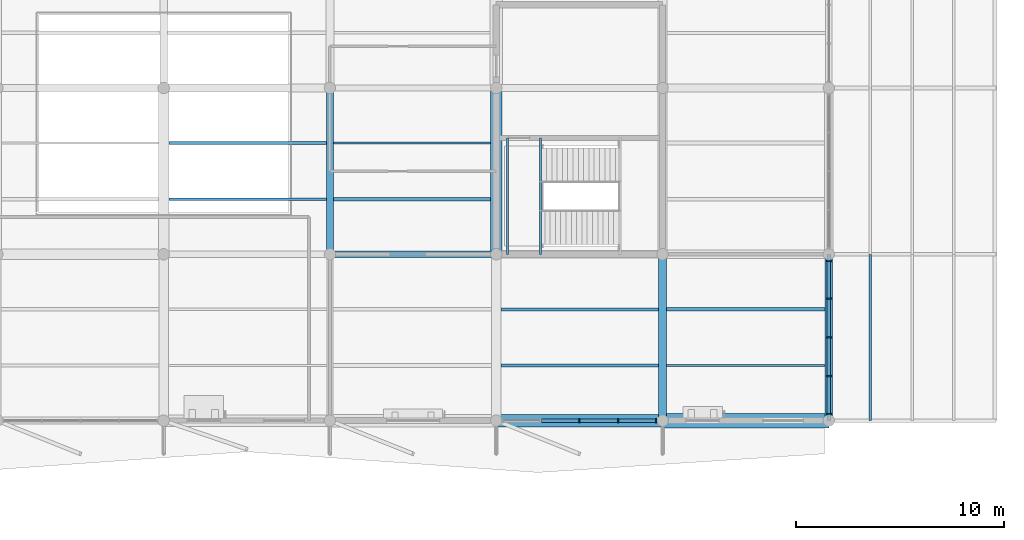
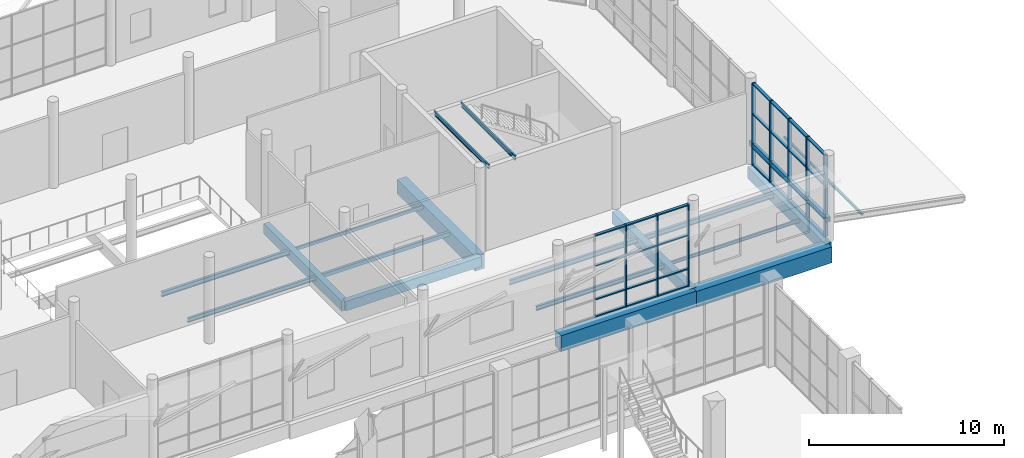
# One storey, part 60 of 122: 37 members, 18 beams, 2 elements without a shape of their own.
"""IFC4 building model written with IfcOpenShell, lengths in metres."""

from ifc_helpers import new_model, si_unit, direction, frame, origin, origin_2d, place, context, subcontext, project, spatial, rectangle, hollow_rectangle, i_section, extrude, material, material_profile, profile_set, type_object, element, aggregate, save


model = new_model("IFC4")

# Units and contexts
model_context = context("Model", 3, precision=1e-05, world=origin(), true_north=direction((0.0, 1.0)))
body_context = subcontext(model_context, "Body", "Model", "MODEL_VIEW")
ifc_project = project(units=[si_unit("LENGTHUNIT", "METRE"), si_unit("AREAUNIT", "SQUARE_METRE"), si_unit("VOLUMEUNIT", "CUBIC_METRE"), si_unit("PLANEANGLEUNIT", "RADIAN"), si_unit("MASSUNIT", "GRAM", prefix="KILO")], contexts=[model_context])

# Site, building, storey
site_placement = place(None, origin())
site = spatial("IfcSite", under=ifc_project, at=site_placement, CompositionType="ELEMENT")
building_placement = place(site_placement, origin())
building = spatial("IfcBuilding", under=site, at=building_placement, Name="Tenunan Teduh Sports Hall", CompositionType="ELEMENT")
storey_placement = place(building_placement, frame((0.0, 0.0, 5.39990234375)))
storey = spatial("IfcBuildingStorey", under=building, at=storey_placement, Name="L01", CompositionType="ELEMENT", Elevation=5.39990234375)

# Beams
ifc_material_1 = material(Name="Concrete C40/50", Category="concrete")
ifc_material_profile_1 = material_profile(ifc_material_1, rectangle(XDim=0.300048828125, YDim=0.60009765625, at=origin_2d()), Name="RCB 300x600")
ifc_profile_set_1 = profile_set([ifc_material_profile_1], Name="Concrete C40/50")
beam_type_1 = type_object("IfcBeamType", Name="BM-RC-300x600", PredefinedType="BEAM", material=ifc_profile_set_1)
beam_1_placement = place(storey_placement, frame((138.0, 94.0, -0.559814453125), z_axis=(1.0, 0.0, 0.0), x_axis=(0.0, 1.0, 0.0)))
element("IfcBeam", 1, at=beam_1_placement, inside=storey, type_object=beam_type_1, Name="BM-B-03-L01-1135", PredefinedType="BEAM", context=body_context, shape_type="SweptSolid", body=[
    extrude(rectangle(XDim=0.300048828125, YDim=0.60009765625, at=origin_2d()), origin(), (0.0, 0.0, 1.0), 8.0),
])
ifc_material_2 = material(Name="Concrete C40/50", Category="concrete")
ifc_material_profile_2 = material_profile(ifc_material_2, rectangle(XDim=0.35009765625, YDim=0.64990234375, at=origin_2d()), Name="RCB 350x650")
ifc_profile_set_2 = profile_set([ifc_material_profile_2], Name="Concrete C40/50")
beam_type_2 = type_object("IfcBeamType", Name="BM-RC-350x650", PredefinedType="BEAM", material=ifc_profile_set_2)
beam_2_placement = place(storey_placement, frame((138.0, 94.0, -0.5849609375), z_axis=(0.0, 1.0, 0.0), x_axis=(-1.0, 0.0, 0.0)))
element("IfcBeam", 2, at=beam_2_placement, inside=storey, type_object=beam_type_2, Name="BM-B-05-L01-1282", PredefinedType="BEAM", context=body_context, shape_type="SweptSolid", body=[
    extrude(rectangle(XDim=0.35009765625, YDim=0.64990234375, at=origin_2d()), origin(), (0.0, 0.0, 1.0), 8.0),
])
ifc_material_3 = material(Name="Concrete C40/50", Category="concrete")
ifc_material_profile_3 = material_profile(ifc_material_3, rectangle(XDim=0.39990234375, YDim=0.699951171875, at=origin_2d()), Name="RCB 400x700")
ifc_profile_set_3 = profile_set([ifc_material_profile_3], Name="Concrete C40/50")
beam_type_3 = type_object("IfcBeamType", Name="BM-RC-400x700", PredefinedType="BEAM", material=ifc_profile_set_3)
beam_3_placement = place(storey_placement, frame((154.0, 86.0, -0.60986328125), z_axis=(0.0, 1.0, 0.0), x_axis=(-1.0, 0.0, 0.0)))
element("IfcBeam", 3, at=beam_3_placement, inside=storey, type_object=beam_type_3, Name="BM-B-08-L01-1297", PredefinedType="BEAM", context=body_context, shape_type="SweptSolid", body=[
    extrude(rectangle(XDim=0.39990234375, YDim=0.699951171875, at=origin_2d()), origin(), (0.0, 0.0, 1.0), 8.0),
])
ifc_material_4 = material(Name="Concrete C40/50", Category="concrete")
ifc_material_profile_4 = material_profile(ifc_material_4, rectangle(XDim=0.550048828125, YDim=0.89990234375, at=origin_2d()), Name="RCB 550x900")
ifc_profile_set_4 = profile_set([ifc_material_profile_4], Name="Concrete C40/50")
beam_type_4 = type_object("IfcBeamType", Name="BM-RC-550x900", PredefinedType="BEAM", material=ifc_profile_set_4)
beam_4_placement = place(storey_placement, frame((146.0, 94.0, -0.7099609375), z_axis=(0.0, 1.0, 0.0), x_axis=(-1.0, 0.0, 0.0)))
element("IfcBeam", 4, at=beam_4_placement, inside=storey, type_object=beam_type_4, Name="BM-B-16-L01-1290", PredefinedType="BEAM", context=body_context, shape_type="SweptSolid", body=[
    extrude(rectangle(XDim=0.550048828125, YDim=0.89990234375, at=origin_2d()), origin(), (0.0, 0.0, 1.0), 8.0),
])
ifc_material_5 = material(Name="Concrete C40/50", Category="concrete")
ifc_material_profile_5 = material_profile(ifc_material_5, rectangle(XDim=0.60009765625, YDim=1.0, at=origin_2d()), Name="RCB 600x1000")
ifc_profile_set_5 = profile_set([ifc_material_profile_5], Name="Concrete C40/50")
beam_type_5 = type_object("IfcBeamType", Name="BM-RC-600x1000", PredefinedType="BEAM", material=ifc_profile_set_5)
beam_5_placement = place(storey_placement, frame((146.0, 86.0, -0.760009765625), z_axis=(1.0, 0.0, 0.0), x_axis=(0.0, 1.0, 0.0)))
element("IfcBeam", 5, at=beam_5_placement, inside=storey, type_object=beam_type_5, Name="BM-B-18-L01-1119", PredefinedType="BEAM", context=body_context, shape_type="SweptSolid", body=[
    extrude(rectangle(XDim=0.60009765625, YDim=1.0, at=origin_2d()), origin(), (0.0, 0.0, 1.0), 8.0),
])
ifc_material_6 = material(Name="Concrete C40/50", Category="concrete")
ifc_material_profile_6 = material_profile(ifc_material_6, rectangle(XDim=0.699951171875, YDim=1.0, at=origin_2d()), Name="RCB 700x1000")
ifc_profile_set_6 = profile_set([ifc_material_profile_6], Name="Concrete C40/50")
beam_type_6 = type_object("IfcBeamType", Name="BM-RC-700x1000", PredefinedType="SPANDREL", material=ifc_profile_set_6)
beam_6_placement = place(storey_placement, frame((154.0, 86.0, -0.760009765625), z_axis=(1.0, 0.0, 0.0), x_axis=(0.0, 1.0, 0.0)))
element("IfcBeam", 6, at=beam_6_placement, inside=storey, type_object=beam_type_6, Name="BM-B-19-L01-1120", PredefinedType="SPANDREL", context=body_context, shape_type="SweptSolid", body=[
    extrude(rectangle(XDim=0.699951171875, YDim=1.0, at=origin_2d()), origin(), (0.0, 0.0, 1.0), 8.0),
])
ifc_material_7 = material(Name="Concrete C40/50", Category="concrete")
ifc_material_profile_7 = material_profile(ifc_material_7, rectangle(XDim=0.35009765625, YDim=0.719970703125, at=origin_2d()), Name="TB 350x720")
ifc_profile_set_7 = profile_set([ifc_material_profile_7], Name="Concrete C40/50")
beam_type_7 = type_object("IfcBeamType", Name="BM-TB-350x720", PredefinedType="T_BEAM", material=ifc_profile_set_7)
beam_7_placement = place(storey_placement, frame((162.0, 86.0, -0.619873046875), z_axis=(0.0, 1.0, 0.0), x_axis=(-1.0, 0.0, 0.0)))
element("IfcBeam", 7, at=beam_7_placement, inside=storey, type_object=beam_type_7, Name="BM-TB-01-L01-1301", PredefinedType="T_BEAM", context=body_context, shape_type="SweptSolid", body=[
    extrude(rectangle(XDim=0.35009765625, YDim=0.719970703125, at=origin_2d()), origin(), (0.0, 0.0, 1.0), 8.0),
])

# Curtain wall, members
ifc_material_8 = material(Name="Anodised aluminium", Category="aluminium")
curtain_wall_type = type_object("IfcCurtainWallType", Name="CW-UNIT-1", PredefinedType="NOTDEFINED", material=ifc_material_8)
curtain_wall_1_placement = place(storey_placement, origin())
curtain_wall_1 = element("IfcCurtainWall", 8, at=curtain_wall_1_placement, inside=storey, type_object=curtain_wall_type, Name="CW-CWM-200-L01-244", PredefinedType="NOTDEFINED")
ifc_material_9 = material(Name="Anodised aluminium", Category="aluminium")
ifc_material_profile_8 = material_profile(ifc_material_9, rectangle(XDim=0.070068359375, YDim=0.199951171875, at=origin_2d()), Name="CWM 70x200")
ifc_profile_set_8 = profile_set([ifc_material_profile_8], Name="Anodised aluminium")
member_type_1 = type_object("IfcMemberType", Name="CWM-200", PredefinedType="MULLION", material=ifc_profile_set_8)
member_1_placement = place(storey_placement, frame((150.0, 86.0, 0.0), z_axis=(0.0, 0.0, 1.0), x_axis=(1.0, 0.0, 0.0)))
member_1 = element("IfcMember", 9, at=member_1_placement, type_object=member_type_1, Name="CW-01 mullion 3", PredefinedType="MULLION", context=body_context, shape_type="SweptSolid", body=[
    extrude(rectangle(XDim=0.070068359375, YDim=0.199951171875, at=origin_2d()), origin(), (0.0, 0.0, 1.0), 5.1201171875),
])
member_2_placement = place(storey_placement, frame((151.862548828125, 86.0, 0.0), z_axis=(0.0, 0.0, 1.0), x_axis=(1.0, 0.0, 0.0)))
member_2 = element("IfcMember", 10, at=member_2_placement, type_object=member_type_1, Name="CW-01 mullion 4", PredefinedType="MULLION", context=body_context, shape_type="SweptSolid", body=[
    extrude(rectangle(XDim=0.070068359375, YDim=0.199951171875, at=origin_2d()), origin(), (0.0, 0.0, 1.0), 5.1201171875),
])
member_3_placement = place(storey_placement, frame((153.68994140625, 86.0, 0.0), z_axis=(0.0, 0.0, 1.0), x_axis=(1.0, 0.0, 0.0)))
member_3 = element("IfcMember", 11, at=member_3_placement, type_object=member_type_1, Name="CW-01 mullion 5", PredefinedType="MULLION", context=body_context, shape_type="SweptSolid", body=[
    extrude(rectangle(XDim=0.070068359375, YDim=0.199951171875, at=origin_2d()), origin(), (0.0, 0.0, 1.0), 5.1201171875),
])

curtain_wall_2_placement = place(storey_placement, origin())
curtain_wall_2 = element("IfcCurtainWall", 12, at=curtain_wall_2_placement, inside=storey, type_object=curtain_wall_type, Name="CW-CWM-220-L01-245", PredefinedType="NOTDEFINED")
ifc_material_10 = material(Name="Anodised aluminium", Category="aluminium")
ifc_material_profile_9 = material_profile(ifc_material_10, rectangle(XDim=0.074951171875, YDim=0.219970703125, at=origin_2d()), Name="CWM 75x220")
ifc_profile_set_9 = profile_set([ifc_material_profile_9], Name="Anodised aluminium")
member_type_2 = type_object("IfcMemberType", Name="CWM-220", PredefinedType="MULLION", material=ifc_profile_set_9)
member_4_placement = place(storey_placement, frame((162.0, 86.3125, 0.0), z_axis=(0.0, 0.0, 1.0), x_axis=(0.0, 1.0, 0.0)))
member_4 = element("IfcMember", 13, at=member_4_placement, type_object=member_type_2, Name="CW-01 mullion 1", PredefinedType="MULLION", context=body_context, shape_type="SweptSolid", body=[
    extrude(rectangle(XDim=0.074951171875, YDim=0.219970703125, at=origin_2d()), origin(), (0.0, 0.0, 1.0), 5.1201171875),
])
member_5_placement = place(storey_placement, frame((162.0, 88.137451171875, 0.0), z_axis=(0.0, 0.0, 1.0), x_axis=(0.0, 1.0, 0.0)))
member_5 = element("IfcMember", 14, at=member_5_placement, type_object=member_type_2, Name="CW-01 mullion 2", PredefinedType="MULLION", context=body_context, shape_type="SweptSolid", body=[
    extrude(rectangle(XDim=0.074951171875, YDim=0.219970703125, at=origin_2d()), origin(), (0.0, 0.0, 1.0), 5.1201171875),
])
member_6_placement = place(storey_placement, frame((162.0, 90.0, 0.0), z_axis=(0.0, 0.0, 1.0), x_axis=(0.0, 1.0, 0.0)))
member_6 = element("IfcMember", 15, at=member_6_placement, type_object=member_type_2, Name="CW-01 mullion 3", PredefinedType="MULLION", context=body_context, shape_type="SweptSolid", body=[
    extrude(rectangle(XDim=0.074951171875, YDim=0.219970703125, at=origin_2d()), origin(), (0.0, 0.0, 1.0), 5.1201171875),
])
member_7_placement = place(storey_placement, frame((162.0, 91.862548828125, 0.0), z_axis=(0.0, 0.0, 1.0), x_axis=(0.0, 1.0, 0.0)))
member_7 = element("IfcMember", 16, at=member_7_placement, type_object=member_type_2, Name="CW-01 mullion 4", PredefinedType="MULLION", context=body_context, shape_type="SweptSolid", body=[
    extrude(rectangle(XDim=0.074951171875, YDim=0.219970703125, at=origin_2d()), origin(), (0.0, 0.0, 1.0), 5.1201171875),
])
member_8_placement = place(storey_placement, frame((162.0, 93.6875, 0.0), z_axis=(0.0, 0.0, 1.0), x_axis=(0.0, 1.0, 0.0)))
member_8 = element("IfcMember", 17, at=member_8_placement, type_object=member_type_2, Name="CW-01 mullion 5", PredefinedType="MULLION", context=body_context, shape_type="SweptSolid", body=[
    extrude(rectangle(XDim=0.074951171875, YDim=0.219970703125, at=origin_2d()), origin(), (0.0, 0.0, 1.0), 5.1201171875),
])
ifc_material_11 = material(Name="Anodised aluminium", Category="aluminium")
ifc_material_profile_10 = material_profile(ifc_material_11, rectangle(XDim=0.074951171875, YDim=0.179931640625, at=origin_2d()), Name="CWT 75x180")
ifc_profile_set_10 = profile_set([ifc_material_profile_10], Name="Anodised aluminium")
member_type_3 = type_object("IfcMemberType", Name="CWT-180", PredefinedType="USERDEFINED", material=ifc_profile_set_10)
member_9_placement = place(storey_placement, frame((162.0, 86.35009765625, 0.03759765625), z_axis=(0.0, 1.0, 0.0), x_axis=(0.0, 0.0, 1.0)))
member_9 = element("IfcMember", 18, at=member_9_placement, type_object=member_type_3, Name="CW-01 transom 1.1", ObjectType="TRANSOM", PredefinedType="USERDEFINED", context=body_context, shape_type="SweptSolid", body=[
    extrude(rectangle(XDim=0.074951171875, YDim=0.179931640625, at=origin_2d()), origin(), (0.0, 0.0, 1.0), 1.75),
])
member_10_placement = place(storey_placement, frame((162.0, 86.35009765625, 1.10009765625), z_axis=(0.0, 1.0, 0.0), x_axis=(0.0, 0.0, 1.0)))
member_10 = element("IfcMember", 19, at=member_10_placement, type_object=member_type_3, Name="CW-01 transom 1.2", ObjectType="TRANSOM", PredefinedType="USERDEFINED", context=body_context, shape_type="SweptSolid", body=[
    extrude(rectangle(XDim=0.074951171875, YDim=0.179931640625, at=origin_2d()), origin(), (0.0, 0.0, 1.0), 1.75),
])
member_11_placement = place(storey_placement, frame((162.0, 86.35009765625, 3.2001953125), z_axis=(0.0, 1.0, 0.0), x_axis=(0.0, 0.0, 1.0)))
member_11 = element("IfcMember", 20, at=member_11_placement, type_object=member_type_3, Name="CW-01 transom 1.3", ObjectType="TRANSOM", PredefinedType="USERDEFINED", context=body_context, shape_type="SweptSolid", body=[
    extrude(rectangle(XDim=0.074951171875, YDim=0.179931640625, at=origin_2d()), origin(), (0.0, 0.0, 1.0), 1.75),
])
member_12_placement = place(storey_placement, frame((162.0, 86.35009765625, 5.08251953125), z_axis=(0.0, 1.0, 0.0), x_axis=(0.0, 0.0, 1.0)))
member_12 = element("IfcMember", 21, at=member_12_placement, type_object=member_type_3, Name="CW-01 transom 1.4", ObjectType="TRANSOM", PredefinedType="USERDEFINED", context=body_context, shape_type="SweptSolid", body=[
    extrude(rectangle(XDim=0.074951171875, YDim=0.179931640625, at=origin_2d()), origin(), (0.0, 0.0, 1.0), 1.75),
])
member_13_placement = place(storey_placement, frame((162.0, 88.175048828125, 0.03759765625), z_axis=(0.0, 1.0, 0.0), x_axis=(0.0, 0.0, 1.0)))
member_13 = element("IfcMember", 22, at=member_13_placement, type_object=member_type_3, Name="CW-01 transom 2.1", ObjectType="TRANSOM", PredefinedType="USERDEFINED", context=body_context, shape_type="SweptSolid", body=[
    extrude(rectangle(XDim=0.074951171875, YDim=0.179931640625, at=origin_2d()), origin(), (0.0, 0.0, 1.0), 1.787353515625),
])
member_14_placement = place(storey_placement, frame((162.0, 88.175048828125, 1.10009765625), z_axis=(0.0, 1.0, 0.0), x_axis=(0.0, 0.0, 1.0)))
member_14 = element("IfcMember", 23, at=member_14_placement, type_object=member_type_3, Name="CW-01 transom 2.2", ObjectType="TRANSOM", PredefinedType="USERDEFINED", context=body_context, shape_type="SweptSolid", body=[
    extrude(rectangle(XDim=0.074951171875, YDim=0.179931640625, at=origin_2d()), origin(), (0.0, 0.0, 1.0), 1.787353515625),
])
member_15_placement = place(storey_placement, frame((162.0, 88.175048828125, 3.2001953125), z_axis=(0.0, 1.0, 0.0), x_axis=(0.0, 0.0, 1.0)))
member_15 = element("IfcMember", 24, at=member_15_placement, type_object=member_type_3, Name="CW-01 transom 2.3", ObjectType="TRANSOM", PredefinedType="USERDEFINED", context=body_context, shape_type="SweptSolid", body=[
    extrude(rectangle(XDim=0.074951171875, YDim=0.179931640625, at=origin_2d()), origin(), (0.0, 0.0, 1.0), 1.787353515625),
])
member_16_placement = place(storey_placement, frame((162.0, 88.175048828125, 5.08251953125), z_axis=(0.0, 1.0, 0.0), x_axis=(0.0, 0.0, 1.0)))
member_16 = element("IfcMember", 25, at=member_16_placement, type_object=member_type_3, Name="CW-01 transom 2.4", ObjectType="TRANSOM", PredefinedType="USERDEFINED", context=body_context, shape_type="SweptSolid", body=[
    extrude(rectangle(XDim=0.074951171875, YDim=0.179931640625, at=origin_2d()), origin(), (0.0, 0.0, 1.0), 1.787353515625),
])
member_17_placement = place(storey_placement, frame((162.0, 90.03759765625, 0.03759765625), z_axis=(0.0, 1.0, 0.0), x_axis=(0.0, 0.0, 1.0)))
member_17 = element("IfcMember", 26, at=member_17_placement, type_object=member_type_3, Name="CW-01 transom 3.1", ObjectType="TRANSOM", PredefinedType="USERDEFINED", context=body_context, shape_type="SweptSolid", body=[
    extrude(rectangle(XDim=0.074951171875, YDim=0.179931640625, at=origin_2d()), origin(), (0.0, 0.0, 1.0), 1.787353515625),
])
member_18_placement = place(storey_placement, frame((162.0, 90.03759765625, 1.10009765625), z_axis=(0.0, 1.0, 0.0), x_axis=(0.0, 0.0, 1.0)))
member_18 = element("IfcMember", 27, at=member_18_placement, type_object=member_type_3, Name="CW-01 transom 3.2", ObjectType="TRANSOM", PredefinedType="USERDEFINED", context=body_context, shape_type="SweptSolid", body=[
    extrude(rectangle(XDim=0.074951171875, YDim=0.179931640625, at=origin_2d()), origin(), (0.0, 0.0, 1.0), 1.787353515625),
])
member_19_placement = place(storey_placement, frame((162.0, 90.03759765625, 3.2001953125), z_axis=(0.0, 1.0, 0.0), x_axis=(0.0, 0.0, 1.0)))
member_19 = element("IfcMember", 28, at=member_19_placement, type_object=member_type_3, Name="CW-01 transom 3.3", ObjectType="TRANSOM", PredefinedType="USERDEFINED", context=body_context, shape_type="SweptSolid", body=[
    extrude(rectangle(XDim=0.074951171875, YDim=0.179931640625, at=origin_2d()), origin(), (0.0, 0.0, 1.0), 1.787353515625),
])
member_20_placement = place(storey_placement, frame((162.0, 90.03759765625, 5.08251953125), z_axis=(0.0, 1.0, 0.0), x_axis=(0.0, 0.0, 1.0)))
member_20 = element("IfcMember", 29, at=member_20_placement, type_object=member_type_3, Name="CW-01 transom 3.4", ObjectType="TRANSOM", PredefinedType="USERDEFINED", context=body_context, shape_type="SweptSolid", body=[
    extrude(rectangle(XDim=0.074951171875, YDim=0.179931640625, at=origin_2d()), origin(), (0.0, 0.0, 1.0), 1.787353515625),
])
member_21_placement = place(storey_placement, frame((162.0, 91.89990234375, 0.03759765625), z_axis=(0.0, 1.0, 0.0), x_axis=(0.0, 0.0, 1.0)))
member_21 = element("IfcMember", 30, at=member_21_placement, type_object=member_type_3, Name="CW-01 transom 4.1", ObjectType="TRANSOM", PredefinedType="USERDEFINED", context=body_context, shape_type="SweptSolid", body=[
    extrude(rectangle(XDim=0.074951171875, YDim=0.179931640625, at=origin_2d()), origin(), (0.0, 0.0, 1.0), 1.75),
])
member_22_placement = place(storey_placement, frame((162.0, 91.89990234375, 1.10009765625), z_axis=(0.0, 1.0, 0.0), x_axis=(0.0, 0.0, 1.0)))
member_22 = element("IfcMember", 31, at=member_22_placement, type_object=member_type_3, Name="CW-01 transom 4.2", ObjectType="TRANSOM", PredefinedType="USERDEFINED", context=body_context, shape_type="SweptSolid", body=[
    extrude(rectangle(XDim=0.074951171875, YDim=0.179931640625, at=origin_2d()), origin(), (0.0, 0.0, 1.0), 1.75),
])
member_23_placement = place(storey_placement, frame((162.0, 91.89990234375, 3.2001953125), z_axis=(0.0, 1.0, 0.0), x_axis=(0.0, 0.0, 1.0)))
member_23 = element("IfcMember", 32, at=member_23_placement, type_object=member_type_3, Name="CW-01 transom 4.3", ObjectType="TRANSOM", PredefinedType="USERDEFINED", context=body_context, shape_type="SweptSolid", body=[
    extrude(rectangle(XDim=0.074951171875, YDim=0.179931640625, at=origin_2d()), origin(), (0.0, 0.0, 1.0), 1.75),
])
member_24_placement = place(storey_placement, frame((162.0, 91.89990234375, 5.08251953125), z_axis=(0.0, 1.0, 0.0), x_axis=(0.0, 0.0, 1.0)))
member_24 = element("IfcMember", 33, at=member_24_placement, type_object=member_type_3, Name="CW-01 transom 4.4", ObjectType="TRANSOM", PredefinedType="USERDEFINED", context=body_context, shape_type="SweptSolid", body=[
    extrude(rectangle(XDim=0.074951171875, YDim=0.179931640625, at=origin_2d()), origin(), (0.0, 0.0, 1.0), 1.75),
])
aggregate(curtain_wall_2, [member_4, member_5, member_6, member_7, member_8, member_9, member_10, member_11, member_12, member_13, member_14, member_15, member_16, member_17, member_18, member_19, member_20, member_21, member_22, member_23, member_24])

# Member
ifc_material_12 = material(Name="Anodised aluminium", Category="aluminium")
ifc_material_profile_11 = material_profile(ifc_material_12, rectangle(XDim=0.070068359375, YDim=0.159912109375, at=origin_2d()), Name="CWT 70x160")
ifc_profile_set_11 = profile_set([ifc_material_profile_11], Name="Anodised aluminium")
member_type_4 = type_object("IfcMemberType", Name="CWT-200", PredefinedType="USERDEFINED", material=ifc_profile_set_11)
member_25_placement = place(storey_placement, frame((148.172607421875, 86.0, 0.03515625), z_axis=(1.0, 0.0, 0.0), x_axis=(0.0, 0.0, 1.0)))
member_25 = element("IfcMember", 34, at=member_25_placement, type_object=member_type_4, Name="CW-01 transom 2.1", ObjectType="TRANSOM", PredefinedType="USERDEFINED", context=body_context, shape_type="SweptSolid", body=[
    extrude(rectangle(XDim=0.070068359375, YDim=0.159912109375, at=origin_2d()), origin(), (0.0, 0.0, 1.0), 1.79248046875),
])

member_26_placement = place(storey_placement, frame((148.172607421875, 86.0, 1.10009765625), z_axis=(1.0, 0.0, 0.0), x_axis=(0.0, 0.0, 1.0)))
member_26 = element("IfcMember", 35, at=member_26_placement, type_object=member_type_4, Name="CW-01 transom 2.2", ObjectType="TRANSOM", PredefinedType="USERDEFINED", context=body_context, shape_type="SweptSolid", body=[
    extrude(rectangle(XDim=0.070068359375, YDim=0.159912109375, at=origin_2d()), origin(), (0.0, 0.0, 1.0), 1.79248046875),
])

member_27_placement = place(storey_placement, frame((148.172607421875, 86.0, 3.2001953125), z_axis=(1.0, 0.0, 0.0), x_axis=(0.0, 0.0, 1.0)))
member_27 = element("IfcMember", 36, at=member_27_placement, type_object=member_type_4, Name="CW-01 transom 2.3", ObjectType="TRANSOM", PredefinedType="USERDEFINED", context=body_context, shape_type="SweptSolid", body=[
    extrude(rectangle(XDim=0.070068359375, YDim=0.159912109375, at=origin_2d()), origin(), (0.0, 0.0, 1.0), 1.79248046875),
])

member_28_placement = place(storey_placement, frame((148.172607421875, 86.0, 5.085205078125), z_axis=(1.0, 0.0, 0.0), x_axis=(0.0, 0.0, 1.0)))
member_28 = element("IfcMember", 37, at=member_28_placement, type_object=member_type_4, Name="CW-01 transom 2.4", ObjectType="TRANSOM", PredefinedType="USERDEFINED", context=body_context, shape_type="SweptSolid", body=[
    extrude(rectangle(XDim=0.070068359375, YDim=0.159912109375, at=origin_2d()), origin(), (0.0, 0.0, 1.0), 1.79248046875),
])

member_29_placement = place(storey_placement, frame((150.034912109375, 86.0, 0.03515625), z_axis=(1.0, 0.0, 0.0), x_axis=(0.0, 0.0, 1.0)))
member_29 = element("IfcMember", 38, at=member_29_placement, type_object=member_type_4, Name="CW-01 transom 3.1", ObjectType="TRANSOM", PredefinedType="USERDEFINED", context=body_context, shape_type="SweptSolid", body=[
    extrude(rectangle(XDim=0.070068359375, YDim=0.159912109375, at=origin_2d()), origin(), (0.0, 0.0, 1.0), 1.79248046875),
])

member_30_placement = place(storey_placement, frame((150.034912109375, 86.0, 1.10009765625), z_axis=(1.0, 0.0, 0.0), x_axis=(0.0, 0.0, 1.0)))
member_30 = element("IfcMember", 39, at=member_30_placement, type_object=member_type_4, Name="CW-01 transom 3.2", ObjectType="TRANSOM", PredefinedType="USERDEFINED", context=body_context, shape_type="SweptSolid", body=[
    extrude(rectangle(XDim=0.070068359375, YDim=0.159912109375, at=origin_2d()), origin(), (0.0, 0.0, 1.0), 1.79248046875),
])

member_31_placement = place(storey_placement, frame((150.034912109375, 86.0, 3.2001953125), z_axis=(1.0, 0.0, 0.0), x_axis=(0.0, 0.0, 1.0)))
member_31 = element("IfcMember", 40, at=member_31_placement, type_object=member_type_4, Name="CW-01 transom 3.3", ObjectType="TRANSOM", PredefinedType="USERDEFINED", context=body_context, shape_type="SweptSolid", body=[
    extrude(rectangle(XDim=0.070068359375, YDim=0.159912109375, at=origin_2d()), origin(), (0.0, 0.0, 1.0), 1.79248046875),
])

member_32_placement = place(storey_placement, frame((150.034912109375, 86.0, 5.085205078125), z_axis=(1.0, 0.0, 0.0), x_axis=(0.0, 0.0, 1.0)))
member_32 = element("IfcMember", 41, at=member_32_placement, type_object=member_type_4, Name="CW-01 transom 3.4", ObjectType="TRANSOM", PredefinedType="USERDEFINED", context=body_context, shape_type="SweptSolid", body=[
    extrude(rectangle(XDim=0.070068359375, YDim=0.159912109375, at=origin_2d()), origin(), (0.0, 0.0, 1.0), 1.79248046875),
])

member_33_placement = place(storey_placement, frame((151.8974609375, 86.0, 0.03515625), z_axis=(1.0, 0.0, 0.0), x_axis=(0.0, 0.0, 1.0)))
member_33 = element("IfcMember", 42, at=member_33_placement, type_object=member_type_4, Name="CW-01 transom 4.1", ObjectType="TRANSOM", PredefinedType="USERDEFINED", context=body_context, shape_type="SweptSolid", body=[
    extrude(rectangle(XDim=0.070068359375, YDim=0.159912109375, at=origin_2d()), origin(), (0.0, 0.0, 1.0), 1.757568359375),
])

member_34_placement = place(storey_placement, frame((151.8974609375, 86.0, 1.10009765625), z_axis=(1.0, 0.0, 0.0), x_axis=(0.0, 0.0, 1.0)))
member_34 = element("IfcMember", 43, at=member_34_placement, type_object=member_type_4, Name="CW-01 transom 4.2", ObjectType="TRANSOM", PredefinedType="USERDEFINED", context=body_context, shape_type="SweptSolid", body=[
    extrude(rectangle(XDim=0.070068359375, YDim=0.159912109375, at=origin_2d()), origin(), (0.0, 0.0, 1.0), 1.757568359375),
])

member_35_placement = place(storey_placement, frame((151.8974609375, 86.0, 3.2001953125), z_axis=(1.0, 0.0, 0.0), x_axis=(0.0, 0.0, 1.0)))
member_35 = element("IfcMember", 44, at=member_35_placement, type_object=member_type_4, Name="CW-01 transom 4.3", ObjectType="TRANSOM", PredefinedType="USERDEFINED", context=body_context, shape_type="SweptSolid", body=[
    extrude(rectangle(XDim=0.070068359375, YDim=0.159912109375, at=origin_2d()), origin(), (0.0, 0.0, 1.0), 1.757568359375),
])

member_36_placement = place(storey_placement, frame((151.8974609375, 86.0, 5.085205078125), z_axis=(1.0, 0.0, 0.0), x_axis=(0.0, 0.0, 1.0)))
member_36 = element("IfcMember", 45, at=member_36_placement, type_object=member_type_4, Name="CW-01 transom 4.4", ObjectType="TRANSOM", PredefinedType="USERDEFINED", context=body_context, shape_type="SweptSolid", body=[
    extrude(rectangle(XDim=0.070068359375, YDim=0.159912109375, at=origin_2d()), origin(), (0.0, 0.0, 1.0), 1.757568359375),
])

aggregate(curtain_wall_1, [member_1, member_2, member_3, member_25, member_26, member_27, member_28, member_29, member_30, member_31, member_32, member_33, member_34, member_35, member_36])

# Beams
ifc_material_13 = material(Name="Steel S355", Category="steel")
ifc_material_profile_12 = material_profile(ifc_material_13, i_section(OverallWidth=0.10009765625, OverallDepth=0.199951171875, WebThickness=0.005615234375, FlangeThickness=0.008544921875, FilletRadius=0.011962890625, at=origin_2d()), Name="IPE 200")
ifc_profile_set_12 = profile_set([ifc_material_profile_12], Name="Steel S355")
beam_type_8 = type_object("IfcBeamType", Name="JST-IPE200", PredefinedType="JOIST", material=ifc_profile_set_12)
beam_8_placement = place(storey_placement, frame((154.199951171875, 88.64990234375, -0.35986328125), z_axis=(1.0, 0.0, 0.0), x_axis=(0.0, 1.0, 0.0)))
element("IfcBeam", 46, at=beam_8_placement, inside=storey, type_object=beam_type_8, Name="BM-J-01-L01-1446", PredefinedType="JOIST", context=body_context, shape_type="SweptSolid", body=[
    extrude(i_section(OverallWidth=0.10009765625, OverallDepth=0.199951171875, WebThickness=0.005615234375, FlangeThickness=0.008544921875, FilletRadius=0.011962890625, at=origin_2d()), origin(), (0.0, 0.0, 1.0), 7.625),
])
ifc_material_14 = material(Name="Steel S355", Category="steel")
ifc_material_profile_13 = material_profile(ifc_material_14, i_section(OverallWidth=0.135009765625, OverallDepth=0.27001953125, WebThickness=0.006591796875, FlangeThickness=0.01025390625, FilletRadius=0.014892578125, at=origin_2d()), Name="IPE 270")
ifc_profile_set_13 = profile_set([ifc_material_profile_13], Name="Steel S355")
beam_type_9 = type_object("IfcBeamType", Name="JST-IPE270", PredefinedType="JOIST", material=ifc_profile_set_13)
for number, where, z_axis, x_axis, name in (
    (47, (130.25, 96.64990234375, -0.39501953125), (1.0, 0.0, 0.0), (0.0, 1.0, 0.0), "BM-J-03-L01-1420"),
    (48, (146.22509765625, 88.64990234375, -0.39501953125), (1.0, 0.0, 0.0), (0.0, 1.0, 0.0), "BM-J-03-L01-1442"),
):
    element("IfcBeam", number, at=place(storey_placement, frame(where, z_axis=z_axis, x_axis=x_axis)), inside=storey, type_object=beam_type_9, Name=name, PredefinedType="JOIST", context=body_context, shape_type="SweptSolid", body=[
        extrude(i_section(OverallWidth=0.135009765625, OverallDepth=0.27001953125, WebThickness=0.006591796875, FlangeThickness=0.01025390625, FilletRadius=0.014892578125, at=origin_2d()), origin(), (0.0, 0.0, 1.0), 7.574951171875),
    ])
ifc_material_15 = material(Name="Steel S355", Category="steel")
ifc_material_profile_14 = material_profile(ifc_material_15, i_section(OverallWidth=0.14990234375, OverallDepth=0.300048828125, WebThickness=0.007080078125, FlangeThickness=0.0107421875, FilletRadius=0.014892578125, at=origin_2d()), Name="IPE 300")
ifc_profile_set_14 = profile_set([ifc_material_profile_14], Name="Steel S355")
beam_type_10 = type_object("IfcBeamType", Name="JST-IPE300", PredefinedType="JOIST", material=ifc_profile_set_14)
for number, where, z_axis, x_axis, name in (
    (49, (130.25, 99.35009765625, -0.409912109375), (1.0, 0.0, 0.0), (0.0, 1.0, 0.0), "BM-J-04-L01-1421"),
    (50, (146.22509765625, 91.35009765625, -0.409912109375), (1.0, 0.0, 0.0), (0.0, 1.0, 0.0), "BM-J-04-L01-1443"),
):
    element("IfcBeam", number, at=place(storey_placement, frame(where, z_axis=z_axis, x_axis=x_axis)), inside=storey, type_object=beam_type_10, Name=name, PredefinedType="JOIST", context=body_context, shape_type="SweptSolid", body=[
        extrude(i_section(OverallWidth=0.14990234375, OverallDepth=0.300048828125, WebThickness=0.007080078125, FlangeThickness=0.0107421875, FilletRadius=0.014892578125, at=origin_2d()), origin(), (0.0, 0.0, 1.0), 7.574951171875),
    ])

# Member
ifc_material_16 = material(Name="Steel S355", Category="steel")
ifc_material_profile_15 = material_profile(ifc_material_16, hollow_rectangle(XDim=0.1201171875, YDim=0.1201171875, WallThickness=0.00634765625, at=origin_2d()), Name="SHS 120x120x6.3")
ifc_profile_set_15 = profile_set([ifc_material_profile_15], Name="Steel S355")
member_type_5 = type_object("IfcMemberType", Name="MEM-PR-SHS120", PredefinedType="PURLIN", material=ifc_profile_set_15)
member_37_placement = place(storey_placement, frame((164.0, 86.003662109375, 0.84521484375), z_axis=(0.0, 1.0, 0.0), x_axis=(-1.0, 0.0, 0.0)))
element("IfcMember", 51, at=member_37_placement, inside=storey, type_object=member_type_5, Name="MEM-PR-02-L01-1022", PredefinedType="PURLIN", context=body_context, shape_type="SweptSolid", body=[
    extrude(hollow_rectangle(XDim=0.1201171875, YDim=0.1201171875, WallThickness=0.00634765625, at=origin_2d()), origin(), (0.0, 0.0, 1.0), 7.996337890625),
])

# Beams
ifc_material_17 = material(Name="Steel S355", Category="steel")
ifc_material_profile_16 = material_profile(ifc_material_17, hollow_rectangle(XDim=0.10009765625, YDim=0.199951171875, WallThickness=0.008056640625, at=origin_2d()), Name="RHS 200x100x8.0")
ifc_profile_set_16 = profile_set([ifc_material_profile_16], Name="Steel S355")
beam_type_11 = type_object("IfcBeamType", Name="RBM-RHS200", PredefinedType="JOIST", material=ifc_profile_set_16)
beam_9_placement = place(storey_placement, frame((138.175048828125, 99.35009765625, -0.35986328125), z_axis=(1.0, 0.0, 0.0), x_axis=(0.0, 1.0, 0.0)))
element("IfcBeam", 52, at=beam_9_placement, inside=storey, type_object=beam_type_11, Name="Perimeter Ring Beam BM-RB-05-L01-1429", PredefinedType="JOIST", context=body_context, shape_type="SweptSolid", body=[
    extrude(hollow_rectangle(XDim=0.10009765625, YDim=0.199951171875, WallThickness=0.008056640625, at=origin_2d()), origin(), (0.0, 0.0, 1.0), 7.550048828125),
])
ifc_material_18 = material(Name="Steel S355", Category="steel")
ifc_material_profile_17 = material_profile(ifc_material_18, hollow_rectangle(XDim=0.14990234375, YDim=0.25, WallThickness=0.010009765625, at=origin_2d()), Name="RHS 250x150x10.0")
ifc_profile_set_17 = profile_set([ifc_material_profile_17], Name="Steel S355")
beam_type_12 = type_object("IfcBeamType", Name="RBM-RHS250", PredefinedType="BEAM", material=ifc_profile_set_17)
beam_10_placement = place(storey_placement, frame((138.175048828125, 96.64990234375, -0.385009765625), z_axis=(1.0, 0.0, 0.0), x_axis=(0.0, 1.0, 0.0)))
element("IfcBeam", 53, at=beam_10_placement, inside=storey, type_object=beam_type_12, Name="Perimeter Ring Beam BM-RB-04-L01-1428", PredefinedType="BEAM", context=body_context, shape_type="SweptSolid", body=[
    extrude(hollow_rectangle(XDim=0.14990234375, YDim=0.25, WallThickness=0.010009765625, at=origin_2d()), origin(), (0.0, 0.0, 1.0), 7.550048828125),
])
ifc_material_19 = material(Name="Steel S355", Category="steel")
ifc_material_profile_18 = material_profile(ifc_material_19, hollow_rectangle(XDim=0.199951171875, YDim=0.300048828125, WallThickness=0.010009765625, at=origin_2d()), Name="RHS 300x200x10.0")
ifc_profile_set_18 = profile_set([ifc_material_profile_18], Name="Steel S355")
beam_type_13 = type_object("IfcBeamType", Name="RBM-RHS300", PredefinedType="BEAM", material=ifc_profile_set_18)
beam_11_placement = place(storey_placement, frame((162.0, 86.0, 1.22021484375), z_axis=(0.0, 1.0, 0.0), x_axis=(-1.0, 0.0, 0.0)))
element("IfcBeam", 54, at=beam_11_placement, inside=storey, type_object=beam_type_13, Name="Perimeter Ring Beam BM-RB-03-L01-0576", PredefinedType="BEAM", context=body_context, shape_type="SweptSolid", body=[
    extrude(hollow_rectangle(XDim=0.199951171875, YDim=0.300048828125, WallThickness=0.010009765625, at=origin_2d()), origin(), (0.0, 0.0, 1.0), 8.0),
])
ifc_material_20 = material(Name="Steel S355", Category="steel")
ifc_material_profile_19 = material_profile(ifc_material_20, i_section(OverallWidth=0.1650390625, OverallDepth=0.303466796875, WebThickness=0.006103515625, FlangeThickness=0.01025390625, FilletRadius=0.0087890625, at=origin_2d()), Name="UKB 305x165x40")
ifc_profile_set_19 = profile_set([ifc_material_profile_19], Name="Steel S355")
beam_type_14 = type_object("IfcBeamType", Name="SBM-UKB305", PredefinedType="BEAM", material=ifc_profile_set_19)
beam_12_placement = place(storey_placement, frame((154.199951171875, 91.35009765625, -0.41162109375), z_axis=(1.0, 0.0, 0.0), x_axis=(0.0, 1.0, 0.0)))
element("IfcBeam", 55, at=beam_12_placement, inside=storey, type_object=beam_type_14, Name="BM-SB-01-L01-1447", PredefinedType="BEAM", context=body_context, shape_type="SweptSolid", body=[
    extrude(i_section(OverallWidth=0.1650390625, OverallDepth=0.303466796875, WebThickness=0.006103515625, FlangeThickness=0.01025390625, FilletRadius=0.0087890625, at=origin_2d()), origin(), (0.0, 0.0, 1.0), 7.625),
])
ifc_material_21 = material(Name="Steel S355", Category="steel")
ifc_material_profile_20 = material_profile(ifc_material_21, i_section(OverallWidth=0.090087890625, OverallDepth=0.260009765625, WebThickness=0.008056640625, FlangeThickness=0.013916015625, FilletRadius=0.011962890625, at=origin_2d()), Name="PFC 260x90")
ifc_profile_set_20 = profile_set([ifc_material_profile_20], Name="Steel S355")
beam_type_15 = type_object("IfcBeamType", Name="STR-BM-TRIM", PredefinedType="BEAM", material=ifc_profile_set_20)
for number, where, z_axis, x_axis, name in (
    (56, (148.1201171875, 94.0, 5.070068359375), (0.0, 1.0, 0.0), (-1.0, 0.0, 0.0), "BM-SS-02-E2-L01-T"),
    (57, (146.550048828125, 94.0, 5.070068359375), (0.0, 1.0, 0.0), (-1.0, 0.0, 0.0), "BM-SS-02-E2-L01-TW"),
):
    element("IfcBeam", number, at=place(storey_placement, frame(where, z_axis=z_axis, x_axis=x_axis)), inside=storey, type_object=beam_type_15, Name=name, PredefinedType="BEAM", context=body_context, shape_type="SweptSolid", body=[
        extrude(i_section(OverallWidth=0.090087890625, OverallDepth=0.260009765625, WebThickness=0.008056640625, FlangeThickness=0.013916015625, FilletRadius=0.011962890625, at=origin_2d()), origin(), (0.0, 0.0, 1.0), 5.60009765625),
    ])

save(model, "model.ifc")
